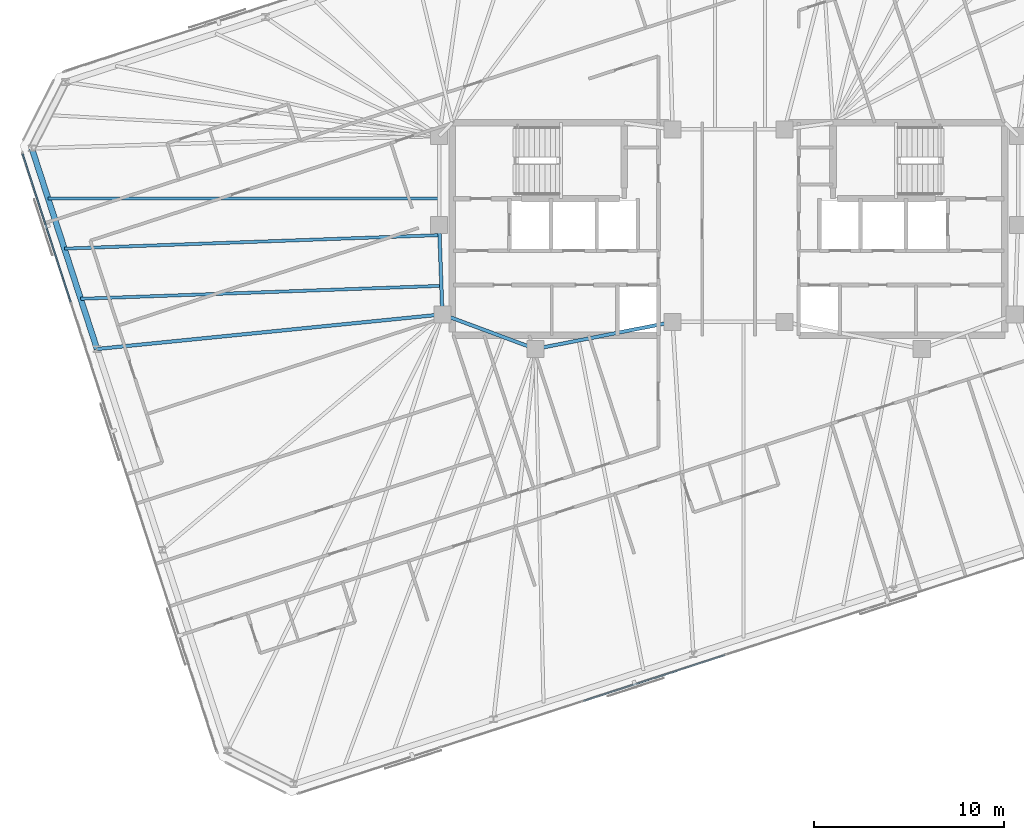
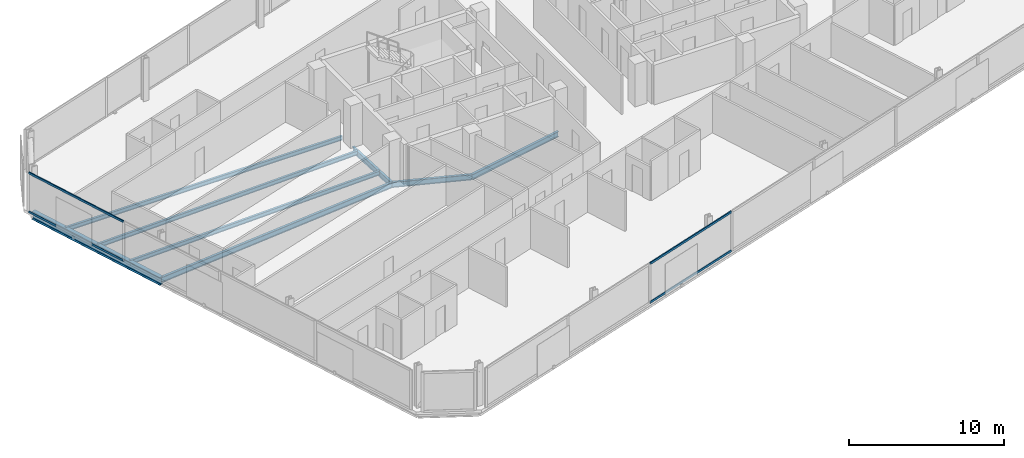
# One storey, part 6 of 19: 8 beams, 4 members, 2 elements without a shape of their own.
"""IFC4 building model written with IfcOpenShell, lengths in metres."""

from ifc_helpers import new_model, si_unit, direction, frame, origin, origin_2d, place, context, subcontext, project, spatial, rectangle, i_section, extrude, material, material_profile, profile_set, type_object, element, aggregate, save


model = new_model("IFC4")

# Units and contexts
model_context = context("Model", 3, precision=1e-05, world=origin(), true_north=direction((0.0, 1.0)))
body_context = subcontext(model_context, "Body", "Model", "MODEL_VIEW")
ifc_project = project(units=[si_unit("LENGTHUNIT", "METRE"), si_unit("AREAUNIT", "SQUARE_METRE"), si_unit("VOLUMEUNIT", "CUBIC_METRE"), si_unit("PLANEANGLEUNIT", "RADIAN"), si_unit("MASSUNIT", "GRAM", prefix="KILO")], contexts=[model_context])

# Site, building, storey
site_placement = place(None, origin())
site = spatial("IfcSite", under=ifc_project, at=site_placement, CompositionType="ELEMENT")
building_placement = place(site_placement, origin())
building = spatial("IfcBuilding", under=site, at=building_placement, Name="Menara Jurai Vektor", CompositionType="ELEMENT")
storey_placement = place(building_placement, frame((0.0, 0.0, 214.25)))
storey = spatial("IfcBuildingStorey", under=building, at=storey_placement, Name="L56", CompositionType="ELEMENT", Elevation=214.25)

# Curtain wall, members
ifc_material_1 = material(Name="Anodised Pale Aluminium & Low-E Double Glazing", Category="aluminium")
curtain_wall_type = type_object("IfcCurtainWallType", Name="CW-BLK4", PredefinedType="NOTDEFINED", material=ifc_material_1)
curtain_wall_1_placement = place(storey_placement, origin())
curtain_wall_1 = element("IfcCurtainWall", 1, at=curtain_wall_1_placement, inside=storey, type_object=curtain_wall_type, Name="Unitised Curtain Wall L56 F01", PredefinedType="NOTDEFINED")
ifc_material_2 = material(Name="Anodised Pale Aluminium Transom", Category="aluminium")
ifc_material_profile_1 = material_profile(ifc_material_2, rectangle(XDim=0.080078125, YDim=0.1650390625, at=origin_2d()), Name="ALU TRN 80x165")
ifc_profile_set_1 = profile_set([ifc_material_profile_1], Name="Anodised Pale Aluminium Transom")
member_type = type_object("IfcMemberType", Name="CW-BLK4-TRN", PredefinedType="USERDEFINED", material=ifc_profile_set_1)
member_1_placement = place(storey_placement, frame((-7.639404296875, -24.86669921875, 0.0400390625), z_axis=(0.951059330237, 0.309008333817, 0.0), x_axis=(-0.309008333817, 0.951059330237, 0.0)))
member_1 = element("IfcMember", 2, at=member_1_placement, type_object=member_type, Name="CW-04 transom 3.1", ObjectType="TRANSOM", PredefinedType="USERDEFINED", context=body_context, shape_type="SweptSolid", body=[
    extrude(rectangle(XDim=0.080078125, YDim=0.1650390625, at=origin_2d()), origin(), (0.0, 0.0, 1.0), 7.8115234375),
])
member_2_placement = place(storey_placement, frame((-7.639404296875, -24.86669921875, 3.0849609375), z_axis=(0.951059330237, 0.309008333817, 0.0), x_axis=(-0.309008333817, 0.951059330237, 0.0)))
member_2 = element("IfcMember", 3, at=member_2_placement, type_object=member_type, Name="CW-04 transom 3.2", ObjectType="TRANSOM", PredefinedType="USERDEFINED", context=body_context, shape_type="SweptSolid", body=[
    extrude(rectangle(XDim=0.080078125, YDim=0.1650390625, at=origin_2d()), origin(), (0.0, 0.0, 1.0), 7.8115234375),
])
aggregate(curtain_wall_1, [member_1, member_2])

curtain_wall_2_placement = place(storey_placement, origin())
curtain_wall_2 = element("IfcCurtainWall", 4, at=curtain_wall_2_placement, inside=storey, type_object=curtain_wall_type, Name="Unitised Curtain Wall L56 F07", PredefinedType="NOTDEFINED")
member_3_placement = place(storey_placement, frame((-37.19384765625, 3.950927734375, 0.0400390625), z_axis=(0.309010577384, -0.951058601278, 0.0), x_axis=(0.951058601278, 0.309010577384, 0.0)))
member_3 = element("IfcMember", 5, at=member_3_placement, type_object=member_type, Name="CW-04 transom 1.1", ObjectType="TRANSOM", PredefinedType="USERDEFINED", context=body_context, shape_type="SweptSolid", body=[
    extrude(rectangle(XDim=0.080078125, YDim=0.1650390625, at=origin_2d()), origin(), (0.0, 0.0, 1.0), 8.18994140625),
])
member_4_placement = place(storey_placement, frame((-37.19384765625, 3.950927734375, 3.0849609375), z_axis=(0.309010577384, -0.951058601278, 0.0), x_axis=(0.951058601278, 0.309010577384, 0.0)))
member_4 = element("IfcMember", 6, at=member_4_placement, type_object=member_type, Name="CW-04 transom 1.2", ObjectType="TRANSOM", PredefinedType="USERDEFINED", context=body_context, shape_type="SweptSolid", body=[
    extrude(rectangle(XDim=0.080078125, YDim=0.1650390625, at=origin_2d()), origin(), (0.0, 0.0, 1.0), 8.18994140625),
])
aggregate(curtain_wall_2, [member_3, member_4])

# Beams
ifc_material_3 = material(Name="Steel S355", Category="steel")
ifc_material_profile_2 = material_profile(ifc_material_3, i_section(OverallWidth=0.18505859375, OverallDepth=0.429931640625, WebThickness=0.010986328125, FlangeThickness=0.01806640625, at=origin_2d()), Name="PG 430x185x76")
ifc_profile_set_2 = profile_set([ifc_material_profile_2], Name="Steel S355")
beam_type_1 = type_object("IfcBeamType", Name="STR-BM-430", PredefinedType="BEAM", material=ifc_profile_set_2)
beam_1_placement = place(storey_placement, frame((-15.080078125, -4.5, -0.43994140625), z_axis=(-0.035977314146, 0.999352606874, 0.0), x_axis=(-0.999352606874, -0.035977314146, 0.0)))
element("IfcBeam", 7, at=beam_1_placement, inside=storey, type_object=beam_type_1, Name="Core Ring Header Girder L56-CHW-W2", PredefinedType="BEAM", context=body_context, shape_type="SweptSolid", body=[
    extrude(i_section(OverallWidth=0.18505859375, OverallDepth=0.429931640625, WebThickness=0.010986328125, FlangeThickness=0.01806640625, at=origin_2d()), origin(), (0.0, 0.0, 1.0), 4.72314453125),
])
beam_2_placement = place(storey_placement, frame((-15.080078125, -4.5, -0.43994140625), z_axis=(0.937424400887, -0.348188874925, 0.0), x_axis=(0.348188874925, 0.937424400887, 0.0)))
element("IfcBeam", 8, at=beam_2_placement, inside=storey, type_object=beam_type_1, Name="Core Ring Header Girder L56-CHW-S1", PredefinedType="BEAM", context=body_context, shape_type="SweptSolid", body=[
    extrude(i_section(OverallWidth=0.18505859375, OverallDepth=0.429931640625, WebThickness=0.010986328125, FlangeThickness=0.01806640625, at=origin_2d()), origin(), (0.0, 0.0, 1.0), 5.227294921875),
])
beam_3_placement = place(storey_placement, frame((-10.179931640625, -6.320068359375, -0.43994140625), z_axis=(0.981249044334, 0.192744164614, 0.0), x_axis=(-0.192744164614, 0.981249044334, 0.0)))
element("IfcBeam", 9, at=beam_3_placement, inside=storey, type_object=beam_type_1, Name="Core Ring Header Girder L56-CHW-S2", PredefinedType="BEAM", context=body_context, shape_type="SweptSolid", body=[
    extrude(i_section(OverallWidth=0.18505859375, OverallDepth=0.429931640625, WebThickness=0.010986328125, FlangeThickness=0.01806640625, at=origin_2d()), origin(), (0.0, 0.0, 1.0), 7.3681640625),
])
beam_4_placement = place(storey_placement, frame((-33.277587890625, -6.322509765625, -0.43994140625), z_axis=(0.995022243563, 0.099653072276, 0.0), x_axis=(-0.099653072276, 0.995022243563, 0.0)))
element("IfcBeam", 10, at=beam_4_placement, inside=storey, type_object=beam_type_1, Name="Radial Floor Girder L56-W2", PredefinedType="BEAM", context=body_context, shape_type="SweptSolid", body=[
    extrude(i_section(OverallWidth=0.18505859375, OverallDepth=0.429931640625, WebThickness=0.010986328125, FlangeThickness=0.01806640625, at=origin_2d()), origin(), (0.0, 0.0, 1.0), 18.28857421875),
])
ifc_material_profile_3 = material_profile(ifc_material_3, i_section(OverallWidth=0.1650390625, OverallDepth=0.330078125, WebThickness=0.009033203125, FlangeThickness=0.013916015625, at=origin_2d()), Name="PG 330x165x46")
ifc_profile_set_3 = profile_set([ifc_material_profile_3], Name="Steel S355")
beam_type_2 = type_object("IfcBeamType", Name="STR-JS-330", PredefinedType="JOIST", material=ifc_profile_set_3)
beam_5_placement = place(storey_placement, frame((-35.8544921875, 1.6083984375, -0.389892578125), z_axis=(1.0, 0.0, 0.0), x_axis=(0.0, 1.0, 0.0)))
element("IfcBeam", 11, at=beam_5_placement, inside=storey, type_object=beam_type_2, Name="Radial Secondary Floor Joist L56-JS28", PredefinedType="JOIST", context=body_context, shape_type="SweptSolid", body=[
    extrude(i_section(OverallWidth=0.1650390625, OverallDepth=0.330078125, WebThickness=0.009033203125, FlangeThickness=0.013916015625, at=origin_2d()), origin(), (0.0, 0.0, 1.0), 20.6044921875),
])
beam_6_placement = place(storey_placement, frame((-34.99560546875, -1.03515625, -0.389892578125), z_axis=(0.999351957959, 0.035995334734, 0.0), x_axis=(-0.035995334734, 0.999351957959, 0.0)))
element("IfcBeam", 12, at=beam_6_placement, inside=storey, type_object=beam_type_2, Name="Radial Secondary Floor Joist L56-JS29", PredefinedType="JOIST", context=body_context, shape_type="SweptSolid", body=[
    extrude(i_section(OverallWidth=0.1650390625, OverallDepth=0.330078125, WebThickness=0.009033203125, FlangeThickness=0.013916015625, at=origin_2d()), origin(), (0.0, 0.0, 1.0), 19.77783203125),
])
beam_7_placement = place(storey_placement, frame((-34.136474609375, -3.6787109375, -0.389892578125), z_axis=(0.999352161922, 0.035989671603, 0.0), x_axis=(-0.035989671603, 0.999352161922, 0.0)))
element("IfcBeam", 13, at=beam_7_placement, inside=storey, type_object=beam_type_2, Name="Radial Secondary Floor Joist L56-JS30", PredefinedType="JOIST", context=body_context, shape_type="SweptSolid", body=[
    extrude(i_section(OverallWidth=0.1650390625, OverallDepth=0.330078125, WebThickness=0.009033203125, FlangeThickness=0.013916015625, at=origin_2d()), origin(), (0.0, 0.0, 1.0), 19.014404296875),
])
ifc_material_profile_4 = material_profile(ifc_material_3, i_section(OverallWidth=0.306884765625, OverallDepth=0.6201171875, WebThickness=0.013916015625, FlangeThickness=0.02392578125, FilletRadius=0.01708984375, at=origin_2d()), Name="UKB 610x305x179")
ifc_profile_set_4 = profile_set([ifc_material_profile_4], Name="Steel S355")
beam_type_3 = type_object("IfcBeamType", Name="STR-SP-610", PredefinedType="SPANDREL", material=ifc_profile_set_4)
beam_8_placement = place(storey_placement, frame((-36.71337890625, 4.251953125, -0.534912109375), z_axis=(0.309012092614, -0.95105810896, 0.0), x_axis=(0.95105810896, 0.309012092614, 0.0)))
element("IfcBeam", 14, at=beam_8_placement, inside=storey, type_object=beam_type_3, Name="Exoskeleton Spandrel Beam L56-17", PredefinedType="SPANDREL", context=body_context, shape_type="SweptSolid", body=[
    extrude(i_section(OverallWidth=0.306884765625, OverallDepth=0.6201171875, WebThickness=0.013916015625, FlangeThickness=0.02392578125, FilletRadius=0.01708984375, at=origin_2d()), origin(), (0.0, 0.0, 1.0), 11.11865234375),
])

save(model, "model.ifc")
